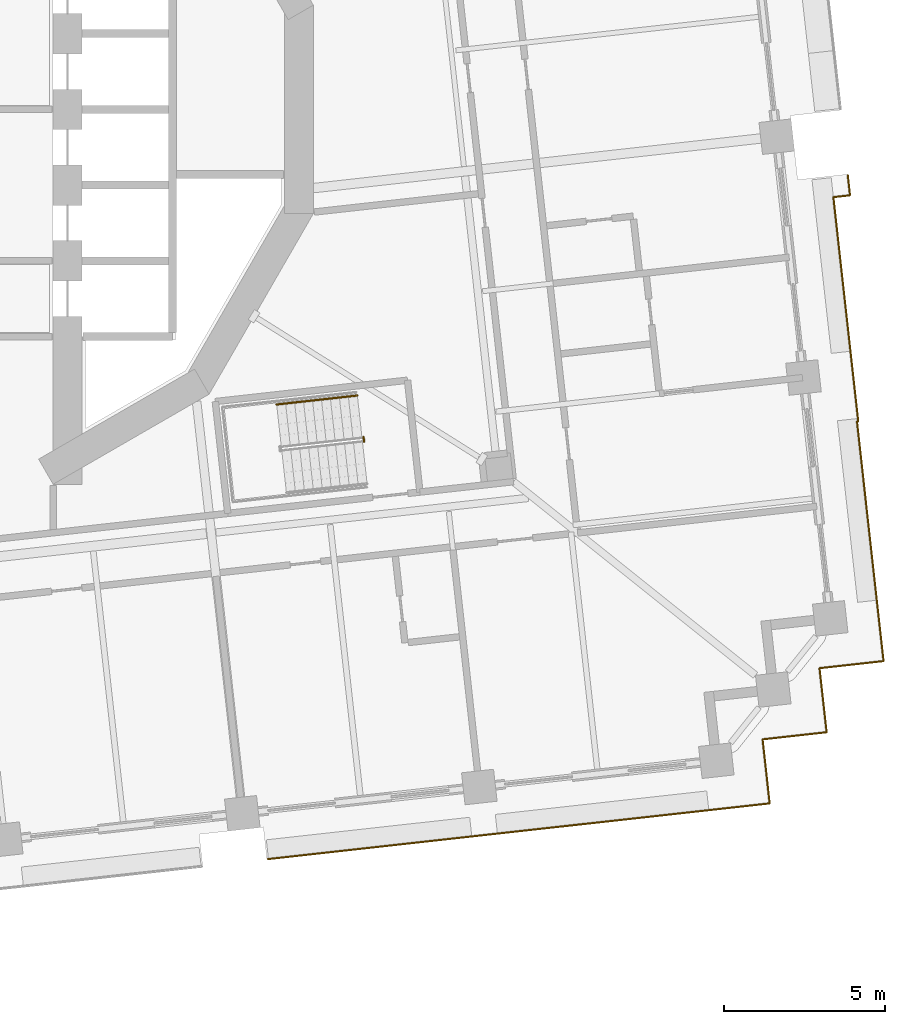
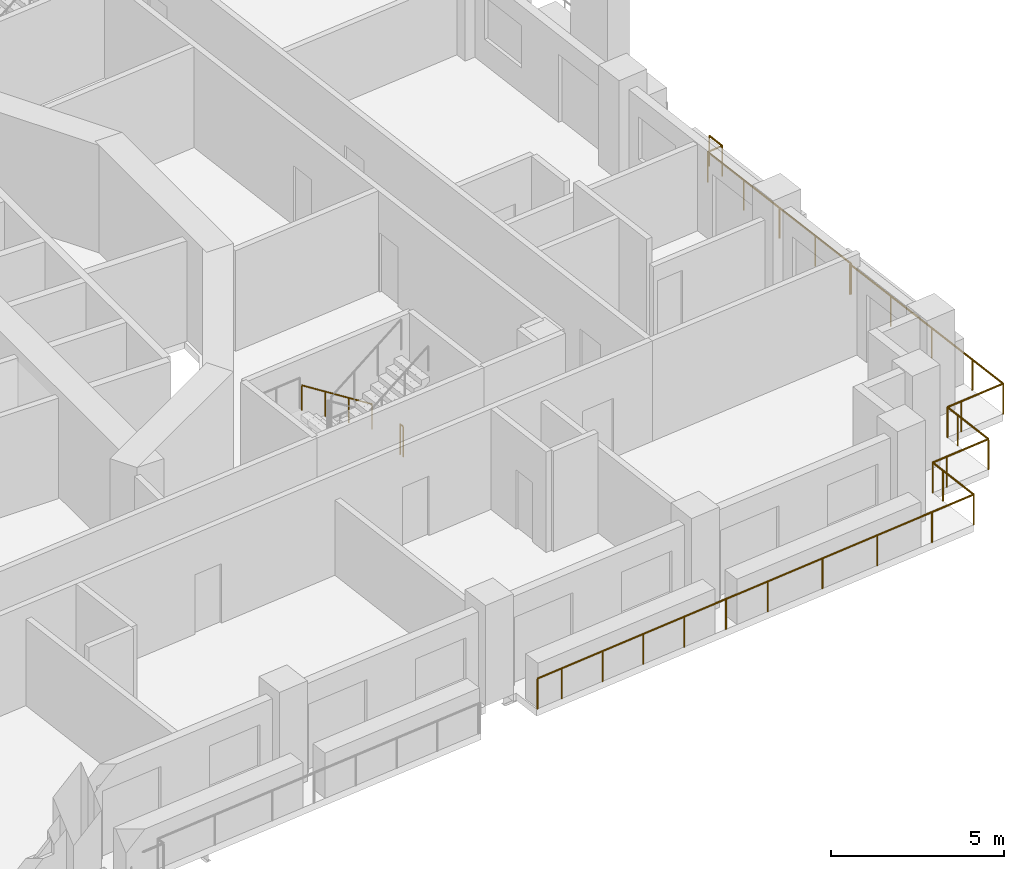
# One storey, part 17 of 21: 4 railings.
"""IFC4 building model written with IfcOpenShell, lengths in metres."""

from ifc_helpers import new_model, si_unit, direction, frame, origin, origin_2d, place, context, subcontext, project, spatial, circle, extrude, material, type_object, element, save


model = new_model("IFC4")

# Units and contexts
model_context = context("Model", 3, precision=1e-05, world=origin(), true_north=direction((0.0, 1.0)))
body_context = subcontext(model_context, "Body", "Model", "MODEL_VIEW")
ifc_project = project(units=[si_unit("LENGTHUNIT", "METRE"), si_unit("AREAUNIT", "SQUARE_METRE"), si_unit("VOLUMEUNIT", "CUBIC_METRE"), si_unit("PLANEANGLEUNIT", "RADIAN"), si_unit("MASSUNIT", "GRAM", prefix="KILO")], contexts=[model_context])

# Site, building, storey
site_placement = place(None, origin())
site = spatial("IfcSite", under=ifc_project, at=site_placement, CompositionType="ELEMENT")
building_placement = place(site_placement, origin())
building = spatial("IfcBuilding", under=site, at=building_placement, Name="Cantera Rosa Tower", CompositionType="ELEMENT")
storey_placement = place(building_placement, frame((0.0, 0.0, 69.10009765625)))
storey = spatial("IfcBuildingStorey", under=building, at=storey_placement, Name="L14", CompositionType="ELEMENT", Elevation=69.10009765625)

# Railings
ifc_material_1 = material(Name="Stainless steel and laminated glass", Category="steel")
railing_type_1 = type_object("IfcRailingType", Name="GUARD 1100", PredefinedType="BALUSTRADE", material=ifc_material_1)
railing_1_placement = place(storey_placement, frame((28.985107421875, -9.681884765625, 0.0)))
element("IfcRailing", 1, at=railing_1_placement, inside=storey, type_object=railing_type_1, Name="GUARD L14-9", PredefinedType="BALUSTRADE", context=body_context, shape_type="SweptSolid", body=[
    extrude(circle(Radius=0.030029296875, at=origin_2d()), frame((0.0, 0.0, 1.070068359375), z_axis=(-0.994030677348, -0.109100928002, 0.0), x_axis=(0.109100928002, -0.994030677348, 0.0)), (0.0, 0.0, 1.0), 0.040283203125),
    extrude(circle(Radius=0.030029296875, at=origin_2d()), frame((-0.0400390625, -0.00439453125, 1.070068359375), z_axis=(0.110315018508, -0.993896673046, 0.0), x_axis=(0.993896673046, 0.110315018508, 0.0)), (0.0, 0.0, 1.0), 5.979736328125),
    extrude(circle(Radius=0.030029296875, at=origin_2d()), frame((0.61962890625, -5.94775390625, 1.070068359375), z_axis=(0.110360064491, -0.993891672249, 0.0), x_axis=(0.993891672249, 0.110360064491, 0.0)), (0.0, 0.0, 1.0), 1.5),
    extrude(circle(Radius=0.030029296875, at=origin_2d()), frame((0.78515625, -7.4384765625, 1.070068359375), z_axis=(-0.993891672249, -0.110360064491, 0.0), x_axis=(0.110360064491, -0.993891672249, 0.0)), (0.0, 0.0, 1.0), 1.5),
    extrude(circle(Radius=0.030029296875, at=origin_2d()), frame((-0.70556640625, -7.60400390625, 1.070068359375), z_axis=(-0.993895635261, -0.110324368158, 0.0), x_axis=(0.110324368158, -0.993895635261, 0.0)), (0.0, 0.0, 1.0), 0.500244140625),
    extrude(circle(Radius=0.030029296875, at=origin_2d()), frame((-1.20263671875, -7.6591796875, 1.070068359375), z_axis=(0.110324368158, -0.993895635261, 0.0), x_axis=(0.993895635261, 0.110324368158, 0.0)), (0.0, 0.0, 1.0), 0.500244140625),
    extrude(circle(Radius=0.030029296875, at=origin_2d()), frame((-1.1474609375, -8.15625, 1.070068359375), z_axis=(0.110360064491, -0.993891672249, 0.0), x_axis=(0.993891672249, 0.110360064491, 0.0)), (0.0, 0.0, 1.0), 1.5),
    extrude(circle(Radius=0.030029296875, at=origin_2d()), frame((-0.98193359375, -9.64697265625, 1.070068359375), z_axis=(-0.993893654236, -0.110342213455, 0.0), x_axis=(0.110342213455, -0.993893654236, 0.0)), (0.0, 0.0, 1.0), 1.500244140625),
    extrude(circle(Radius=0.030029296875, at=origin_2d()), frame((-2.472900390625, -9.8125, 1.070068359375), z_axis=(-0.9938896893, -0.110377921269, 0.0), x_axis=(0.110377921269, -0.9938896893, 0.0)), (0.0, 0.0, 1.0), 0.5),
    extrude(circle(Radius=0.030029296875, at=origin_2d()), frame((-2.9697265625, -9.86767578125, 1.070068359375), z_axis=(0.110377921269, -0.9938896893, 0.0), x_axis=(0.9938896893, 0.110377921269, 0.0)), (0.0, 0.0, 1.0), 0.5),
    extrude(circle(Radius=0.030029296875, at=origin_2d()), frame((-2.91455078125, -10.364501953125, 1.070068359375), z_axis=(0.110181444005, -0.99391148972, 0.0), x_axis=(0.99391148972, 0.110181444005, 0.0)), (0.0, 0.0, 1.0), 1.5),
    extrude(circle(Radius=0.030029296875, at=origin_2d()), frame((-2.749267578125, -11.85546875, 1.070068359375), z_axis=(-0.993909513469, -0.110199269672, 0.0), x_axis=(0.110199269672, -0.993909513469, 0.0)), (0.0, 0.0, 1.0), 1.499755859375),
    extrude(circle(Radius=0.030029296875, at=origin_2d()), frame((-4.239990234375, -12.020751953125, 1.070068359375), z_axis=(-0.993896343916, -0.1103179838, 0.0), x_axis=(0.1103179838, -0.993896343916, 0.0)), (0.0, 0.0, 1.0), 5.900146484375),
    extrude(circle(Radius=0.030029296875, at=origin_2d()), frame((-10.10400390625, -12.671630859375, 1.070068359375), z_axis=(-0.993892663362, -0.110351138256, 0.0), x_axis=(0.110351138256, -0.993892663362, 0.0)), (0.0, 0.0, 1.0), 3.0),
    extrude(circle(Radius=0.030029296875, at=origin_2d()), frame((-13.085693359375, -13.002685546875, 1.070068359375), z_axis=(-0.993897260817, -0.110309722784, 0.0), x_axis=(0.110309722784, -0.993897260817, 0.0)), (0.0, 0.0, 1.0), 4.39990234375),
    extrude(circle(Radius=0.030029296875, at=origin_2d()), frame((-17.458740234375, -13.488037109375, 1.070068359375), z_axis=(-0.993900832769, -0.110277534522, 0.0), x_axis=(0.110277534522, -0.993900832769, 0.0)), (0.0, 0.0, 1.0), 0.8701171875),
    extrude(circle(Radius=0.02490234375, at=origin_2d()), origin(), (0.0, 0.0, 1.0), 1.0400390625),
    extrude(circle(Radius=0.02490234375, at=origin_2d()), frame((-0.0400390625, -0.00439453125, 0.0)), (0.0, 0.0, 1.0), 1.0400390625),
    extrude(circle(Radius=0.02490234375, at=origin_2d()), frame((0.179931640625, -1.985595703125, 0.0)), (0.0, 0.0, 1.0), 1.0400390625),
    extrude(circle(Radius=0.02490234375, at=origin_2d()), frame((0.399658203125, -3.966552734375, 0.0)), (0.0, 0.0, 1.0), 1.0400390625),
    extrude(circle(Radius=0.02490234375, at=origin_2d()), frame((0.61962890625, -5.94775390625, 0.0)), (0.0, 0.0, 1.0), 1.0400390625),
    extrude(circle(Radius=0.02490234375, at=origin_2d()), frame((0.78515625, -7.4384765625, 0.0)), (0.0, 0.0, 1.0), 1.0400390625),
    extrude(circle(Radius=0.02490234375, at=origin_2d()), frame((-0.70556640625, -7.60400390625, 0.0)), (0.0, 0.0, 1.0), 1.0400390625),
    extrude(circle(Radius=0.02490234375, at=origin_2d()), frame((-1.20263671875, -7.6591796875, 0.0)), (0.0, 0.0, 1.0), 1.0400390625),
    extrude(circle(Radius=0.02490234375, at=origin_2d()), frame((-1.1474609375, -8.15625, 0.0)), (0.0, 0.0, 1.0), 1.0400390625),
    extrude(circle(Radius=0.02490234375, at=origin_2d()), frame((-0.98193359375, -9.64697265625, 0.0)), (0.0, 0.0, 1.0), 1.0400390625),
    extrude(circle(Radius=0.02490234375, at=origin_2d()), frame((-2.472900390625, -9.8125, 0.0)), (0.0, 0.0, 1.0), 1.0400390625),
    extrude(circle(Radius=0.02490234375, at=origin_2d()), frame((-2.9697265625, -9.86767578125, 0.0)), (0.0, 0.0, 1.0), 1.0400390625),
    extrude(circle(Radius=0.02490234375, at=origin_2d()), frame((-2.91455078125, -10.364501953125, 0.0)), (0.0, 0.0, 1.0), 1.0400390625),
    extrude(circle(Radius=0.02490234375, at=origin_2d()), frame((-2.749267578125, -11.85546875, 0.0)), (0.0, 0.0, 1.0), 1.0400390625),
    extrude(circle(Radius=0.02490234375, at=origin_2d()), frame((-4.239990234375, -12.020751953125, 0.0)), (0.0, 0.0, 1.0), 1.0400390625),
    extrude(circle(Radius=0.02490234375, at=origin_2d()), frame((-6.194580078125, -12.23779296875, 0.0)), (0.0, 0.0, 1.0), 1.0400390625),
    extrude(circle(Radius=0.02490234375, at=origin_2d()), frame((-8.1494140625, -12.45458984375, 0.0)), (0.0, 0.0, 1.0), 1.0400390625),
    extrude(circle(Radius=0.02490234375, at=origin_2d()), frame((-10.10400390625, -12.671630859375, 0.0)), (0.0, 0.0, 1.0), 1.0400390625),
    extrude(circle(Radius=0.02490234375, at=origin_2d()), frame((-11.5947265625, -12.837158203125, 0.0)), (0.0, 0.0, 1.0), 1.0400390625),
    extrude(circle(Radius=0.02490234375, at=origin_2d()), frame((-13.085693359375, -13.002685546875, 0.0)), (0.0, 0.0, 1.0), 1.0400390625),
    extrude(circle(Radius=0.02490234375, at=origin_2d()), frame((-14.54345703125, -13.16455078125, 0.0)), (0.0, 0.0, 1.0), 1.0400390625),
    extrude(circle(Radius=0.02490234375, at=origin_2d()), frame((-16.0009765625, -13.326171875, 0.0)), (0.0, 0.0, 1.0), 1.0400390625),
    extrude(circle(Radius=0.02490234375, at=origin_2d()), frame((-17.458740234375, -13.488037109375, 0.0)), (0.0, 0.0, 1.0), 1.0400390625),
    extrude(circle(Radius=0.02490234375, at=origin_2d()), frame((-18.323486328125, -13.583984375, 0.0)), (0.0, 0.0, 1.0), 1.0400390625),
])
railing_2_placement = place(storey_placement, frame((28.659423828125, -2.041015625, 0.0)))
element("IfcRailing", 2, at=railing_2_placement, inside=storey, type_object=railing_type_1, Name="GUARD L14-10", PredefinedType="BALUSTRADE", context=body_context, shape_type="SweptSolid", body=[
    extrude(circle(Radius=0.030029296875, at=origin_2d()), frame((0.0, 0.0, 1.070068359375), z_axis=(0.110559257296, -0.993869534006, 0.0), x_axis=(0.993869534006, 0.110559257296, 0.0)), (0.0, 0.0, 1.0), 0.62939453125),
    extrude(circle(Radius=0.030029296875, at=origin_2d()), frame((0.069580078125, -0.62548828125, 1.070068359375), z_axis=(-0.993883734674, -0.110431526075, 0.0), x_axis=(0.110431526075, -0.993883734674, 0.0)), (0.0, 0.0, 1.0), 0.51953125),
    extrude(circle(Radius=0.030029296875, at=origin_2d()), frame((-0.44677734375, -0.682861328125, 1.070068359375), z_axis=(0.110339663776, -0.993893937298, 0.0), x_axis=(0.993893937298, 0.110339663776, 0.0)), (0.0, 0.0, 1.0), 7.000732421875),
    extrude(circle(Radius=0.02490234375, at=origin_2d()), origin(), (0.0, 0.0, 1.0), 1.0400390625),
    extrude(circle(Radius=0.02490234375, at=origin_2d()), frame((0.069580078125, -0.62548828125, 0.0)), (0.0, 0.0, 1.0), 1.0400390625),
    extrude(circle(Radius=0.02490234375, at=origin_2d()), frame((-0.44677734375, -0.682861328125, 0.0)), (0.0, 0.0, 1.0), 1.0400390625),
    extrude(circle(Radius=0.02490234375, at=origin_2d()), frame((-0.253662109375, -2.42236328125, 0.0)), (0.0, 0.0, 1.0), 1.0400390625),
    extrude(circle(Radius=0.02490234375, at=origin_2d()), frame((-0.060546875, -4.161865234375, 0.0)), (0.0, 0.0, 1.0), 1.0400390625),
    extrude(circle(Radius=0.02490234375, at=origin_2d()), frame((0.132568359375, -5.9013671875, 0.0)), (0.0, 0.0, 1.0), 1.0400390625),
    extrude(circle(Radius=0.02490234375, at=origin_2d()), frame((0.32568359375, -7.640869140625, 0.0)), (0.0, 0.0, 1.0), 1.0400390625),
])
ifc_material_2 = material(Name="Steel S355J2 (EN 10025-2)", Category="steel")
railing_type_2 = type_object("IfcRailingType", Name="STAIR GUARD 1100", PredefinedType="GUARDRAIL", material=ifc_material_2)
railing_3_placement = place(storey_placement, frame((13.6328125, -10.16552734375, 0.0)))
element("IfcRailing", 3, at=railing_3_placement, inside=storey, type_object=railing_type_2, Name="L14 ST-14 stair guard 3", PredefinedType="GUARDRAIL", context=body_context, shape_type="SweptSolid", body=[
    extrude(circle(Radius=0.02392578125, at=origin_2d()), frame((0.0, 0.0, 1.076171875), z_axis=(0.110610055588, -0.993863881828, 0.0), x_axis=(0.993863881828, 0.110610055588, 0.0)), (0.0, 0.0, 1.0), 0.150146484375),
    extrude(circle(Radius=0.02099609375, at=origin_2d()), origin(), (0.0, 0.0, 1.0), 1.052001953125),
    extrude(circle(Radius=0.02099609375, at=origin_2d()), frame((0.0166015625, -0.149169921875, 0.0)), (0.0, 0.0, 1.0), 1.052001953125),
])
ifc_material_3 = material(Name="Steel S355J2 (EN 10025-2)", Category="steel")
railing_type_3 = type_object("IfcRailingType", Name="STAIR HANDRAIL 900", PredefinedType="HANDRAIL", material=ifc_material_3)
railing_4_placement = place(storey_placement, frame((13.439697265625, -8.87890625, 0.18994140625)))
element("IfcRailing", 4, at=railing_4_placement, inside=storey, type_object=railing_type_3, Name="L14 ST-14 stair handrail 1", PredefinedType="HANDRAIL", context=body_context, shape_type="SweptSolid", body=[
    extrude(circle(Radius=0.02392578125, at=origin_2d()), frame((0.0, 0.0, 0.8759765625), z_axis=(-0.822431337597, -0.091310000343, 0.561488360321), x_axis=(0.110346460196, -0.993893182753, 0.0)), (0.0, 0.0, 1.0), 3.04541015625),
    extrude(circle(Radius=0.02099609375, at=origin_2d()), origin(), (0.0, 0.0, 1.0), 0.851806640625),
    extrude(circle(Radius=0.02099609375, at=origin_2d()), frame((-0.8349609375, -0.0927734375, 0.570068359375)), (0.0, 0.0, 1.0), 0.851806640625),
    extrude(circle(Radius=0.02099609375, at=origin_2d()), frame((-1.669677734375, -0.185302734375, 1.139892578125)), (0.0, 0.0, 1.0), 0.851806640625),
    extrude(circle(Radius=0.02099609375, at=origin_2d()), frame((-2.504638671875, -0.278076171875, 1.7099609375)), (0.0, 0.0, 1.0), 0.851806640625),
])

save(model, "model.ifc")
